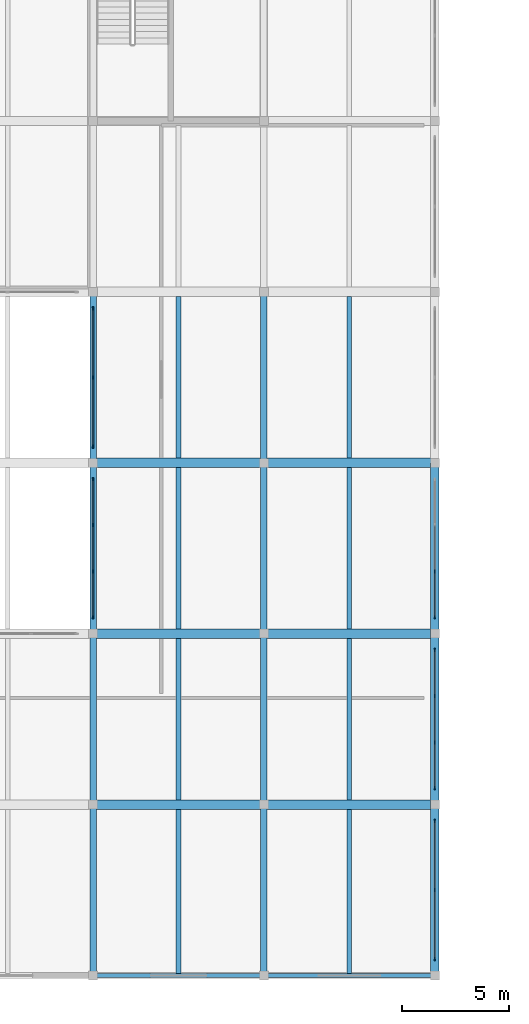
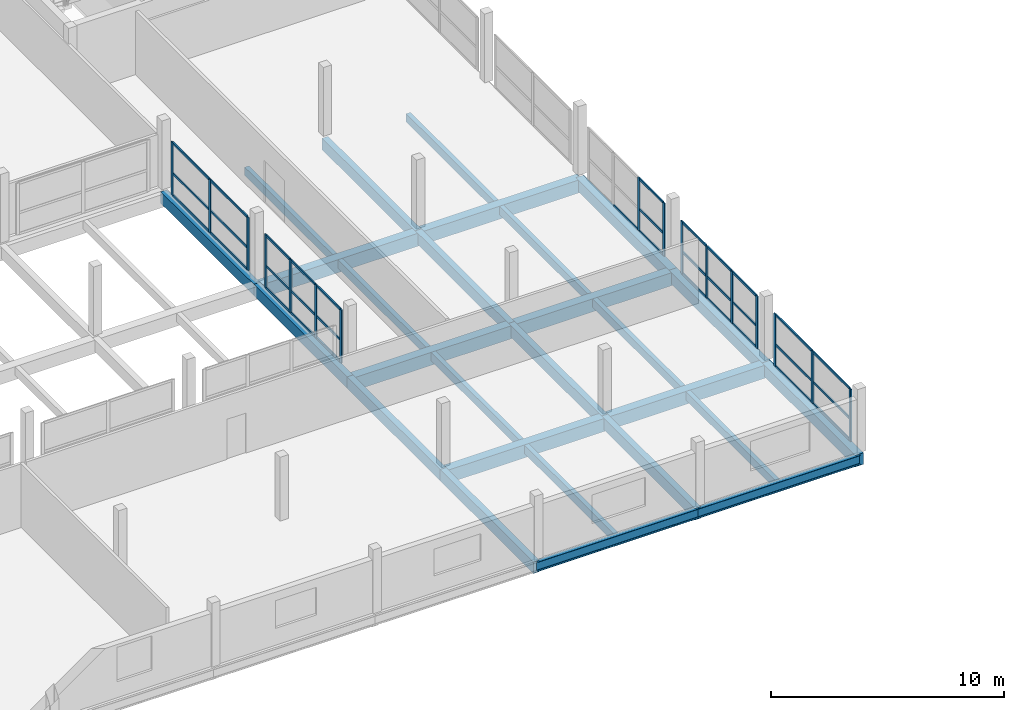
# One storey, part 9 of 51: 50 members, 27 beams, 5 elements without a shape of their own.
"""IFC4 building model written with IfcOpenShell, lengths in metres."""

import ifcopenshell
import ifcopenshell.guid

model = None  # the IFC model being written
_history = None  # IfcOwnerHistory: only IFC2X3 demands one
_inside = {}  # id of a spatial element -> (the spatial element, [elements in it])
_under = {}  # id of a project, library or spatial element -> (it, [spatial elements below it])
_declared = {}  # id of a project -> (the project, [libraries it declares])
_typed = {}  # id of a type object -> (the type object, [elements of that type])
_made_of = {}  # id of a material, layer set ... -> (it, [elements and type objects made of it])


def new_model(schema):
    """Start an empty IFC model of exactly this schema.

    Asked for "IFC4X3", IfcOpenShell would pick the latest addendum, in which some entities
    have other attributes; the version numbers below select the first issue.
    IFC2X3 requires an IfcOwnerHistory on every rooted entity: one is made here for all.
    """
    global model, _history
    if schema == "IFC4X3":
        model = ifcopenshell.file(schema_version=(4, 3, 0, 0))
    else:
        model = ifcopenshell.file(schema=schema)
    _inside.clear()
    _under.clear()
    _declared.clear()
    _typed.clear()
    _made_of.clear()
    _history = None
    if model.schema == "IFC2X3":
        org = make("IfcOrganization", Name="unknown")
        user = make(
            "IfcPersonAndOrganization",
            ThePerson=make("IfcPerson", FamilyName="unknown"),
            TheOrganization=org,
        )
        app = make(
            "IfcApplication",
            ApplicationDeveloper=org,
            Version="unknown",
            ApplicationFullName="unknown",
            ApplicationIdentifier="unknown",
        )
        _history = make(
            "IfcOwnerHistory",
            OwningUser=user,
            OwningApplication=app,
            ChangeAction="ADDED",
            CreationDate=0,
        )
    return model


def make(cls, **values):
    """One entity of the class cls with the attributes given. An attribute that is None is left unset."""
    return model.create_entity(
        cls, **{name: value for name, value in values.items() if value is not None}
    )


def rooted(cls, **values):
    """An entity with a GlobalId (a new one), such as an element, a storey or a relation."""
    return make(cls, GlobalId=ifcopenshell.guid.new(), OwnerHistory=_history, **values)


def si_unit(unit_type, name, prefix=None):
    """IfcSIUnit, for example si_unit("LENGTHUNIT", "METRE", prefix="MILLI")."""
    return make("IfcSIUnit", UnitType=unit_type, Prefix=prefix, Name=name)


def assignment(units):
    """IfcUnitAssignment: the units of a project."""
    return None if units is None else make("IfcUnitAssignment", Units=units)


def point(xyz):
    """IfcCartesianPoint."""
    return None if xyz is None else make("IfcCartesianPoint", Coordinates=xyz)


def direction(xyz):
    """IfcDirection."""
    return None if xyz is None else make("IfcDirection", DirectionRatios=xyz)


def frame(location, z_axis=None, x_axis=None):
    """IfcAxis2Placement3D, a coordinate frame: its origin and axes. An axis left out is left unset."""
    return make(
        "IfcAxis2Placement3D",
        Location=point(location),
        Axis=direction(z_axis),
        RefDirection=direction(x_axis),
    )


def frame_2d(location, x_axis=None):
    """IfcAxis2Placement2D, a coordinate frame in the plane: its origin and x axis."""
    return make(
        "IfcAxis2Placement2D", Location=point(location), RefDirection=direction(x_axis)
    )


def origin():
    """The frame at (0, 0, 0) with its axes left unset."""
    return frame((0.0, 0.0, 0.0))


def origin_2d():
    """The frame at (0, 0) in the plane with its x axis left unset."""
    return frame_2d((0.0, 0.0))


def place(relative_to, where):
    """IfcLocalPlacement: puts the frame where relative to a parent placement (None: the world)."""
    return make(
        "IfcLocalPlacement", PlacementRelTo=relative_to, RelativePlacement=where
    )


def context(
    kind, dimensions, precision=None, world=None, true_north=None, identifier=None
):
    """IfcGeometricRepresentationContext, for example the 3D "Model" context."""
    return make(
        "IfcGeometricRepresentationContext",
        ContextIdentifier=identifier,
        ContextType=kind,
        CoordinateSpaceDimension=dimensions,
        Precision=precision,
        WorldCoordinateSystem=world,
        TrueNorth=true_north,
    )


def subcontext(parent, identifier, kind, view, scale=None):
    """IfcGeometricRepresentationSubContext, for example "Body" below "Model"."""
    return make(
        "IfcGeometricRepresentationSubContext",
        ContextIdentifier=identifier,
        ContextType=kind,
        ParentContext=parent,
        TargetScale=scale,
        TargetView=view,
    )


def project(units=None, contexts=None):
    """IfcProject with its units and contexts."""
    return rooted(
        "IfcProject",
        Name="project",
        RepresentationContexts=contexts,
        UnitsInContext=assignment(units),
    )


def spatial(cls, under=None, at=None, **own):
    """A site, building, storey or space (cls), placed at a placement, below another one or the project."""
    s = rooted(cls, ObjectPlacement=at, **own)
    if under is not None:
        _under.setdefault(under.id(), (under, []))[1].append(s)
    return s


def profile(cls, at=None, kind="AREA", **sizes):
    """A parametric profile (cls). Its sizes go by their IFC names, for example OverallWidth=200.0."""
    return make(cls, ProfileType=kind, Position=at, **sizes)


def rectangle(**sizes):
    """IfcRectangleProfileDef."""
    return profile("IfcRectangleProfileDef", **sizes)


def i_section(**sizes):
    """IfcIShapeProfileDef."""
    return profile("IfcIShapeProfileDef", **sizes)


def extrude(swept, where, along, depth):
    """IfcExtrudedAreaSolid: the profile swept, set in the frame where, extruded along a direction by depth."""
    return make(
        "IfcExtrudedAreaSolid",
        SweptArea=swept,
        Position=where,
        ExtrudedDirection=direction(along),
        Depth=depth,
    )


def shape(context_of_items, identifier, shape_type, items):
    """IfcShapeRepresentation: the items that make up one representation, for example the "Body"."""
    return make(
        "IfcShapeRepresentation",
        ContextOfItems=context_of_items,
        RepresentationIdentifier=identifier,
        RepresentationType=shape_type,
        Items=items,
    )


def material(Name=None, Category=None):
    """IfcMaterial."""
    return make("IfcMaterial", Name=Name, Category=Category)


def material_profile(
    of_material, cross_section, Name=None, Category=None, Priority=None
):
    """IfcMaterialProfile: a cross section and its material."""
    return make(
        "IfcMaterialProfile",
        Name=Name,
        Material=of_material,
        Profile=cross_section,
        Priority=Priority,
        Category=Category,
    )


def profile_set(profiles, Name=None, composite=None):
    """IfcMaterialProfileSet."""
    return make(
        "IfcMaterialProfileSet",
        Name=Name,
        MaterialProfiles=profiles,
        CompositeProfile=composite,
    )


def made_of(thing, what):
    """Note that an element or type object is made of a material, layer set ...; save() writes the relation."""
    if what is not None:
        _made_of.setdefault(what.id(), (what, []))[1].append(thing)
    return thing


def type_object(cls, material=None, **own):
    """A type object (cls), such as IfcWallType, which elements share."""
    return made_of(rooted(cls, **own), material)


def element(
    cls,
    number,
    at=None,
    inside=None,
    cuts=None,
    type_object=None,
    material=None,
    context=None,
    identifier="Body",
    shape_type=None,
    held_by="IfcProductDefinitionShape",
    body=None,
    shapes=None,
    **own,
):
    """One element of the class cls, such as IfcWall. Its Tag is "e" and its number.

    at: its placement. inside: the storey or other place that contains it. cuts: it is an
    opening in that element (IfcRelVoidsElement). A single representation is given by context,
    identifier, shape_type and body (its items); several are given by shapes. held_by: the class
    of the entity that holds the representations. save() writes the other relations.
    """
    e = rooted(cls, Tag="e%d" % number, ObjectPlacement=at, **own)
    if body is not None:
        shapes = [shape(context, identifier, shape_type, body)]
    if shapes is not None:
        e.Representation = make(held_by, Representations=shapes)
    if inside is not None:
        _inside.setdefault(inside.id(), (inside, []))[1].append(e)
    if cuts is not None:
        rooted(
            "IfcRelVoidsElement", RelatingBuildingElement=cuts, RelatedOpeningElement=e
        )
    if type_object is not None:
        _typed.setdefault(type_object.id(), (type_object, []))[1].append(e)
    return made_of(e, material)


def aggregate(whole, parts):
    """IfcRelAggregates: a whole, such as a stair, and the parts it consists of."""
    return rooted("IfcRelAggregates", RelatingObject=whole, RelatedObjects=parts)


def save(model, path):
    """Write the relations noted so far, then the file.

    IfcRelAggregates (storeys below a building ...), IfcRelContainedInSpatialStructure (elements
    in a storey), IfcRelDefinesByType, IfcRelAssociatesMaterial and IfcRelDeclares: one each for
    every whole, place, type object, material and project.
    """
    for whole, parts in _under.values():
        aggregate(whole, parts)
    for where, things in _inside.values():
        rooted(
            "IfcRelContainedInSpatialStructure",
            RelatedElements=things,
            RelatingStructure=where,
        )
    for kind, things in _typed.values():
        rooted("IfcRelDefinesByType", RelatedObjects=things, RelatingType=kind)
    for what, things in _made_of.values():
        rooted("IfcRelAssociatesMaterial", RelatedObjects=things, RelatingMaterial=what)
    for by, libraries in _declared.values():
        rooted("IfcRelDeclares", RelatingContext=by, RelatedDefinitions=libraries)
    model.write(path)


model = new_model("IFC4")

# Units and contexts
model_context = context("Model", 3, precision=1e-05, world=origin(), true_north=direction((0.0, 1.0)))
body_context = subcontext(model_context, "Body", "Model", "MODEL_VIEW")
ifc_project = project(units=[si_unit("LENGTHUNIT", "METRE"), si_unit("AREAUNIT", "SQUARE_METRE"), si_unit("VOLUMEUNIT", "CUBIC_METRE"), si_unit("PLANEANGLEUNIT", "RADIAN"), si_unit("MASSUNIT", "GRAM", prefix="KILO")], contexts=[model_context])

# Site, building, storey
site_placement = place(None, origin())
site = spatial("IfcSite", under=ifc_project, at=site_placement, CompositionType="ELEMENT")
building_placement = place(site_placement, origin())
building = spatial("IfcBuilding", under=site, at=building_placement, Name="Vharandega Faculty of Natural Sciences", CompositionType="ELEMENT")
storey_placement = place(building_placement, frame((0.0, 0.0, 14.39990234375)))
storey = spatial("IfcBuildingStorey", under=building, at=storey_placement, Name="L03", CompositionType="ELEMENT", Elevation=14.39990234375)

# Curtain wall, members
ifc_material_1 = material(Name="Aluminium and solar-control glass curtain wall", Category="aluminium")
curtain_wall_type_1 = type_object("IfcCurtainWallType", Name="Unitised Curtain Wall System CW-14", PredefinedType="NOTDEFINED", material=ifc_material_1)
curtain_wall_1_placement = place(storey_placement, origin())
curtain_wall_1 = element("IfcCurtainWall", 1, at=curtain_wall_1_placement, inside=storey, type_object=curtain_wall_type_1, Name="Curtain Wall CW-L03-153", PredefinedType="NOTDEFINED")
ifc_material_2 = material(Name="Thermally broken aluminium 6063-T6", Category="aluminium")
ifc_material_profile_1 = material_profile(ifc_material_2, rectangle(XDim=0.06005859375, YDim=0.159912109375, at=origin_2d()), Name="ALU 60x160")
ifc_profile_set_1 = profile_set([ifc_material_profile_1], Name="Thermally broken aluminium 6063-T6")
member_type_1 = type_object("IfcMemberType", Name="CW Mullion 60x160", PredefinedType="MULLION", material=ifc_profile_set_1)
member_1_placement = place(storey_placement, frame((48.0, 0.77001953125, 0.0), z_axis=(0.0, 0.0, 1.0), x_axis=(-1.0, 0.0, 0.0)))
member_1 = element("IfcMember", 2, at=member_1_placement, type_object=member_type_1, Name="CW-14 mullion 1", PredefinedType="MULLION", context=body_context, shape_type="SweptSolid", body=[
    extrude(rectangle(XDim=0.06005859375, YDim=0.159912109375, at=origin_2d()), origin(), (0.0, 0.0, 1.0), 2.739990234375),
])
member_2_placement = place(storey_placement, frame((48.0, 4.0, 0.0), z_axis=(0.0, 0.0, 1.0), x_axis=(-1.0, 0.0, 0.0)))
member_2 = element("IfcMember", 3, at=member_2_placement, type_object=member_type_1, Name="CW-14 mullion 2", PredefinedType="MULLION", context=body_context, shape_type="SweptSolid", body=[
    extrude(rectangle(XDim=0.06005859375, YDim=0.159912109375, at=origin_2d()), origin(), (0.0, 0.0, 1.0), 2.739990234375),
])
member_3_placement = place(storey_placement, frame((48.0, 7.22998046875, 0.0), z_axis=(0.0, 0.0, 1.0), x_axis=(-1.0, 0.0, 0.0)))
member_3 = element("IfcMember", 4, at=member_3_placement, type_object=member_type_1, Name="CW-14 mullion 3", PredefinedType="MULLION", context=body_context, shape_type="SweptSolid", body=[
    extrude(rectangle(XDim=0.06005859375, YDim=0.159912109375, at=origin_2d()), origin(), (0.0, 0.0, 1.0), 2.739990234375),
])

ifc_material_3 = material(Name="Aluminium and solar-control glass curtain wall", Category="aluminium")
curtain_wall_type_2 = type_object("IfcCurtainWallType", Name="Unitised Curtain Wall System CW-15", PredefinedType="NOTDEFINED", material=ifc_material_3)
curtain_wall_2_placement = place(storey_placement, origin())
curtain_wall_2 = element("IfcCurtainWall", 5, at=curtain_wall_2_placement, inside=storey, type_object=curtain_wall_type_2, Name="Curtain Wall CW-L03-154", PredefinedType="NOTDEFINED")
member_4_placement = place(storey_placement, frame((48.0, 8.77001953125, 0.0), z_axis=(0.0, 0.0, 1.0), x_axis=(-1.0, 0.0, 0.0)))
member_4 = element("IfcMember", 6, at=member_4_placement, type_object=member_type_1, Name="CW-15 mullion 1", PredefinedType="MULLION", context=body_context, shape_type="SweptSolid", body=[
    extrude(rectangle(XDim=0.06005859375, YDim=0.159912109375, at=origin_2d()), origin(), (0.0, 0.0, 1.0), 2.739990234375),
])
member_5_placement = place(storey_placement, frame((48.0, 10.913330078125, 0.0), z_axis=(0.0, 0.0, 1.0), x_axis=(-1.0, 0.0, 0.0)))
member_5 = element("IfcMember", 7, at=member_5_placement, type_object=member_type_1, Name="CW-15 mullion 2", PredefinedType="MULLION", context=body_context, shape_type="SweptSolid", body=[
    extrude(rectangle(XDim=0.06005859375, YDim=0.159912109375, at=origin_2d()), origin(), (0.0, 0.0, 1.0), 2.739990234375),
])
member_6_placement = place(storey_placement, frame((48.0, 13.086669921875, 0.0), z_axis=(0.0, 0.0, 1.0), x_axis=(-1.0, 0.0, 0.0)))
member_6 = element("IfcMember", 8, at=member_6_placement, type_object=member_type_1, Name="CW-15 mullion 3", PredefinedType="MULLION", context=body_context, shape_type="SweptSolid", body=[
    extrude(rectangle(XDim=0.06005859375, YDim=0.159912109375, at=origin_2d()), origin(), (0.0, 0.0, 1.0), 2.739990234375),
])
member_7_placement = place(storey_placement, frame((48.0, 15.22998046875, 0.0), z_axis=(0.0, 0.0, 1.0), x_axis=(-1.0, 0.0, 0.0)))
member_7 = element("IfcMember", 9, at=member_7_placement, type_object=member_type_1, Name="CW-15 mullion 4", PredefinedType="MULLION", context=body_context, shape_type="SweptSolid", body=[
    extrude(rectangle(XDim=0.06005859375, YDim=0.159912109375, at=origin_2d()), origin(), (0.0, 0.0, 1.0), 2.739990234375),
])

ifc_material_4 = material(Name="Aluminium and solar-control glass curtain wall", Category="aluminium")
curtain_wall_type_3 = type_object("IfcCurtainWallType", Name="Unitised Curtain Wall System CW-16", PredefinedType="NOTDEFINED", material=ifc_material_4)
curtain_wall_3_placement = place(storey_placement, origin())
curtain_wall_3 = element("IfcCurtainWall", 10, at=curtain_wall_3_placement, inside=storey, type_object=curtain_wall_type_3, Name="Curtain Wall CW-L03-155", PredefinedType="NOTDEFINED")
member_8_placement = place(storey_placement, frame((48.0, 16.77001953125, 0.0), z_axis=(0.0, 0.0, 1.0), x_axis=(-1.0, 0.0, 0.0)))
member_8 = element("IfcMember", 11, at=member_8_placement, type_object=member_type_1, Name="CW-16 mullion 1", PredefinedType="MULLION", context=body_context, shape_type="SweptSolid", body=[
    extrude(rectangle(XDim=0.06005859375, YDim=0.159912109375, at=origin_2d()), origin(), (0.0, 0.0, 1.0), 2.780029296875),
])
member_9_placement = place(storey_placement, frame((48.0, 18.913330078125, 0.0), z_axis=(0.0, 0.0, 1.0), x_axis=(-1.0, 0.0, 0.0)))
member_9 = element("IfcMember", 12, at=member_9_placement, type_object=member_type_1, Name="CW-16 mullion 2", PredefinedType="MULLION", context=body_context, shape_type="SweptSolid", body=[
    extrude(rectangle(XDim=0.06005859375, YDim=0.159912109375, at=origin_2d()), origin(), (0.0, 0.0, 1.0), 2.780029296875),
])

ifc_material_5 = material(Name="Aluminium and solar-control glass curtain wall", Category="aluminium")
curtain_wall_type_4 = type_object("IfcCurtainWallType", Name="Unitised Curtain Wall System CW-01", PredefinedType="NOTDEFINED", material=ifc_material_5)
curtain_wall_4_placement = place(storey_placement, origin())
curtain_wall_4 = element("IfcCurtainWall", 13, at=curtain_wall_4_placement, inside=storey, type_object=curtain_wall_type_4, Name="Curtain Wall CW-L03-168", PredefinedType="NOTDEFINED")
member_10_placement = place(storey_placement, frame((32.0, 16.77001953125, 0.0), z_axis=(0.0, 0.0, 1.0), x_axis=(-1.0, 0.0, 0.0)))
member_10 = element("IfcMember", 14, at=member_10_placement, type_object=member_type_1, Name="CW-01 mullion 1", PredefinedType="MULLION", context=body_context, shape_type="SweptSolid", body=[
    extrude(rectangle(XDim=0.06005859375, YDim=0.159912109375, at=origin_2d()), origin(), (0.0, 0.0, 1.0), 2.780029296875),
])
member_11_placement = place(storey_placement, frame((32.0, 18.913330078125, 0.0), z_axis=(0.0, 0.0, 1.0), x_axis=(-1.0, 0.0, 0.0)))
member_11 = element("IfcMember", 15, at=member_11_placement, type_object=member_type_1, Name="CW-01 mullion 2", PredefinedType="MULLION", context=body_context, shape_type="SweptSolid", body=[
    extrude(rectangle(XDim=0.06005859375, YDim=0.159912109375, at=origin_2d()), origin(), (0.0, 0.0, 1.0), 2.780029296875),
])
member_12_placement = place(storey_placement, frame((32.0, 21.086669921875, 0.0), z_axis=(0.0, 0.0, 1.0), x_axis=(-1.0, 0.0, 0.0)))
member_12 = element("IfcMember", 16, at=member_12_placement, type_object=member_type_1, Name="CW-01 mullion 3", PredefinedType="MULLION", context=body_context, shape_type="SweptSolid", body=[
    extrude(rectangle(XDim=0.06005859375, YDim=0.159912109375, at=origin_2d()), origin(), (0.0, 0.0, 1.0), 2.780029296875),
])
member_13_placement = place(storey_placement, frame((32.0, 23.22998046875, 0.0), z_axis=(0.0, 0.0, 1.0), x_axis=(-1.0, 0.0, 0.0)))
member_13 = element("IfcMember", 17, at=member_13_placement, type_object=member_type_1, Name="CW-01 mullion 4", PredefinedType="MULLION", context=body_context, shape_type="SweptSolid", body=[
    extrude(rectangle(XDim=0.06005859375, YDim=0.159912109375, at=origin_2d()), origin(), (0.0, 0.0, 1.0), 2.780029296875),
])

ifc_material_6 = material(Name="Aluminium and solar-control glass curtain wall", Category="aluminium")
curtain_wall_type_5 = type_object("IfcCurtainWallType", Name="Unitised Curtain Wall System CW-03", PredefinedType="NOTDEFINED", material=ifc_material_6)
curtain_wall_5_placement = place(storey_placement, origin())
curtain_wall_5 = element("IfcCurtainWall", 18, at=curtain_wall_5_placement, inside=storey, type_object=curtain_wall_type_5, Name="Curtain Wall CW-L03-170", PredefinedType="NOTDEFINED")
member_14_placement = place(storey_placement, frame((32.0, 24.77001953125, 0.0), z_axis=(0.0, 0.0, 1.0), x_axis=(-1.0, 0.0, 0.0)))
member_14 = element("IfcMember", 19, at=member_14_placement, type_object=member_type_1, Name="CW-03 mullion 1", PredefinedType="MULLION", context=body_context, shape_type="SweptSolid", body=[
    extrude(rectangle(XDim=0.06005859375, YDim=0.159912109375, at=origin_2d()), origin(), (0.0, 0.0, 1.0), 2.780029296875),
])
member_15_placement = place(storey_placement, frame((32.0, 28.0, 0.0), z_axis=(0.0, 0.0, 1.0), x_axis=(-1.0, 0.0, 0.0)))
member_15 = element("IfcMember", 20, at=member_15_placement, type_object=member_type_1, Name="CW-03 mullion 2", PredefinedType="MULLION", context=body_context, shape_type="SweptSolid", body=[
    extrude(rectangle(XDim=0.06005859375, YDim=0.159912109375, at=origin_2d()), origin(), (0.0, 0.0, 1.0), 2.780029296875),
])
member_16_placement = place(storey_placement, frame((32.0, 31.22998046875, 0.0), z_axis=(0.0, 0.0, 1.0), x_axis=(-1.0, 0.0, 0.0)))
member_16 = element("IfcMember", 21, at=member_16_placement, type_object=member_type_1, Name="CW-03 mullion 3", PredefinedType="MULLION", context=body_context, shape_type="SweptSolid", body=[
    extrude(rectangle(XDim=0.06005859375, YDim=0.159912109375, at=origin_2d()), origin(), (0.0, 0.0, 1.0), 2.780029296875),
])

# Member
ifc_material_7 = material(Name="Thermally broken aluminium 6063-T6", Category="aluminium")
ifc_material_profile_2 = material_profile(ifc_material_7, rectangle(XDim=0.06005859375, YDim=0.1201171875, at=origin_2d()), Name="ALU 60x120")
ifc_profile_set_2 = profile_set([ifc_material_profile_2], Name="Thermally broken aluminium 6063-T6")
member_type_2 = type_object("IfcMemberType", Name="CW Transom 60x120", PredefinedType="USERDEFINED", material=ifc_profile_set_2)
member_17_placement = place(storey_placement, frame((48.0, 0.800048828125, 0.030029296875), z_axis=(0.0, 1.0, 0.0), x_axis=(-1.0, 0.0, 0.0)))
member_17 = element("IfcMember", 22, at=member_17_placement, type_object=member_type_2, Name="CW-14 transom 1.1", ObjectType="TRANSOM", PredefinedType="USERDEFINED", context=body_context, shape_type="SweptSolid", body=[
    extrude(rectangle(XDim=0.06005859375, YDim=0.1201171875, at=origin_2d()), origin(), (0.0, 0.0, 1.0), 3.169921875),
])

member_18_placement = place(storey_placement, frame((48.0, 0.800048828125, 1.15087890625), z_axis=(0.0, 1.0, 0.0), x_axis=(-1.0, 0.0, 0.0)))
member_18 = element("IfcMember", 23, at=member_18_placement, type_object=member_type_2, Name="CW-14 transom 1.2", ObjectType="TRANSOM", PredefinedType="USERDEFINED", context=body_context, shape_type="SweptSolid", body=[
    extrude(rectangle(XDim=0.06005859375, YDim=0.1201171875, at=origin_2d()), origin(), (0.0, 0.0, 1.0), 3.169921875),
])

member_19_placement = place(storey_placement, frame((48.0, 0.800048828125, 2.710205078125), z_axis=(0.0, 1.0, 0.0), x_axis=(-1.0, 0.0, 0.0)))
member_19 = element("IfcMember", 24, at=member_19_placement, type_object=member_type_2, Name="CW-14 transom 1.3", ObjectType="TRANSOM", PredefinedType="USERDEFINED", context=body_context, shape_type="SweptSolid", body=[
    extrude(rectangle(XDim=0.06005859375, YDim=0.1201171875, at=origin_2d()), origin(), (0.0, 0.0, 1.0), 3.169921875),
])

member_20_placement = place(storey_placement, frame((48.0, 4.030029296875, 0.030029296875), z_axis=(0.0, 1.0, 0.0), x_axis=(-1.0, 0.0, 0.0)))
member_20 = element("IfcMember", 25, at=member_20_placement, type_object=member_type_2, Name="CW-14 transom 2.1", ObjectType="TRANSOM", PredefinedType="USERDEFINED", context=body_context, shape_type="SweptSolid", body=[
    extrude(rectangle(XDim=0.06005859375, YDim=0.1201171875, at=origin_2d()), origin(), (0.0, 0.0, 1.0), 3.169921875),
])

member_21_placement = place(storey_placement, frame((48.0, 4.030029296875, 1.15087890625), z_axis=(0.0, 1.0, 0.0), x_axis=(-1.0, 0.0, 0.0)))
member_21 = element("IfcMember", 26, at=member_21_placement, type_object=member_type_2, Name="CW-14 transom 2.2", ObjectType="TRANSOM", PredefinedType="USERDEFINED", context=body_context, shape_type="SweptSolid", body=[
    extrude(rectangle(XDim=0.06005859375, YDim=0.1201171875, at=origin_2d()), origin(), (0.0, 0.0, 1.0), 3.169921875),
])

member_22_placement = place(storey_placement, frame((48.0, 4.030029296875, 2.710205078125), z_axis=(0.0, 1.0, 0.0), x_axis=(-1.0, 0.0, 0.0)))
member_22 = element("IfcMember", 27, at=member_22_placement, type_object=member_type_2, Name="CW-14 transom 2.3", ObjectType="TRANSOM", PredefinedType="USERDEFINED", context=body_context, shape_type="SweptSolid", body=[
    extrude(rectangle(XDim=0.06005859375, YDim=0.1201171875, at=origin_2d()), origin(), (0.0, 0.0, 1.0), 3.169921875),
])

aggregate(curtain_wall_1, [member_1, member_2, member_3, member_17, member_18, member_19, member_20, member_21, member_22])

member_23_placement = place(storey_placement, frame((48.0, 8.800048828125, 0.030029296875), z_axis=(0.0, 1.0, 0.0), x_axis=(-1.0, 0.0, 0.0)))
member_23 = element("IfcMember", 28, at=member_23_placement, type_object=member_type_2, Name="CW-15 transom 1.1", ObjectType="TRANSOM", PredefinedType="USERDEFINED", context=body_context, shape_type="SweptSolid", body=[
    extrude(rectangle(XDim=0.06005859375, YDim=0.1201171875, at=origin_2d()), origin(), (0.0, 0.0, 1.0), 2.083251953125),
])

member_24_placement = place(storey_placement, frame((48.0, 8.800048828125, 1.15087890625), z_axis=(0.0, 1.0, 0.0), x_axis=(-1.0, 0.0, 0.0)))
member_24 = element("IfcMember", 29, at=member_24_placement, type_object=member_type_2, Name="CW-15 transom 1.2", ObjectType="TRANSOM", PredefinedType="USERDEFINED", context=body_context, shape_type="SweptSolid", body=[
    extrude(rectangle(XDim=0.06005859375, YDim=0.1201171875, at=origin_2d()), origin(), (0.0, 0.0, 1.0), 2.083251953125),
])

member_25_placement = place(storey_placement, frame((48.0, 8.800048828125, 2.710205078125), z_axis=(0.0, 1.0, 0.0), x_axis=(-1.0, 0.0, 0.0)))
member_25 = element("IfcMember", 30, at=member_25_placement, type_object=member_type_2, Name="CW-15 transom 1.3", ObjectType="TRANSOM", PredefinedType="USERDEFINED", context=body_context, shape_type="SweptSolid", body=[
    extrude(rectangle(XDim=0.06005859375, YDim=0.1201171875, at=origin_2d()), origin(), (0.0, 0.0, 1.0), 2.083251953125),
])

member_26_placement = place(storey_placement, frame((48.0, 10.943359375, 0.030029296875), z_axis=(0.0, 1.0, 0.0), x_axis=(-1.0, 0.0, 0.0)))
member_26 = element("IfcMember", 31, at=member_26_placement, type_object=member_type_2, Name="CW-15 transom 2.1", ObjectType="TRANSOM", PredefinedType="USERDEFINED", context=body_context, shape_type="SweptSolid", body=[
    extrude(rectangle(XDim=0.06005859375, YDim=0.1201171875, at=origin_2d()), origin(), (0.0, 0.0, 1.0), 2.11328125),
])

member_27_placement = place(storey_placement, frame((48.0, 10.943359375, 1.15087890625), z_axis=(0.0, 1.0, 0.0), x_axis=(-1.0, 0.0, 0.0)))
member_27 = element("IfcMember", 32, at=member_27_placement, type_object=member_type_2, Name="CW-15 transom 2.2", ObjectType="TRANSOM", PredefinedType="USERDEFINED", context=body_context, shape_type="SweptSolid", body=[
    extrude(rectangle(XDim=0.06005859375, YDim=0.1201171875, at=origin_2d()), origin(), (0.0, 0.0, 1.0), 2.11328125),
])

member_28_placement = place(storey_placement, frame((48.0, 10.943359375, 2.710205078125), z_axis=(0.0, 1.0, 0.0), x_axis=(-1.0, 0.0, 0.0)))
member_28 = element("IfcMember", 33, at=member_28_placement, type_object=member_type_2, Name="CW-15 transom 2.3", ObjectType="TRANSOM", PredefinedType="USERDEFINED", context=body_context, shape_type="SweptSolid", body=[
    extrude(rectangle(XDim=0.06005859375, YDim=0.1201171875, at=origin_2d()), origin(), (0.0, 0.0, 1.0), 2.11328125),
])

member_29_placement = place(storey_placement, frame((48.0, 13.11669921875, 0.030029296875), z_axis=(0.0, 1.0, 0.0), x_axis=(-1.0, 0.0, 0.0)))
member_29 = element("IfcMember", 34, at=member_29_placement, type_object=member_type_2, Name="CW-15 transom 3.1", ObjectType="TRANSOM", PredefinedType="USERDEFINED", context=body_context, shape_type="SweptSolid", body=[
    extrude(rectangle(XDim=0.06005859375, YDim=0.1201171875, at=origin_2d()), origin(), (0.0, 0.0, 1.0), 2.083251953125),
])

member_30_placement = place(storey_placement, frame((48.0, 13.11669921875, 1.15087890625), z_axis=(0.0, 1.0, 0.0), x_axis=(-1.0, 0.0, 0.0)))
member_30 = element("IfcMember", 35, at=member_30_placement, type_object=member_type_2, Name="CW-15 transom 3.2", ObjectType="TRANSOM", PredefinedType="USERDEFINED", context=body_context, shape_type="SweptSolid", body=[
    extrude(rectangle(XDim=0.06005859375, YDim=0.1201171875, at=origin_2d()), origin(), (0.0, 0.0, 1.0), 2.083251953125),
])

member_31_placement = place(storey_placement, frame((48.0, 13.11669921875, 2.710205078125), z_axis=(0.0, 1.0, 0.0), x_axis=(-1.0, 0.0, 0.0)))
member_31 = element("IfcMember", 36, at=member_31_placement, type_object=member_type_2, Name="CW-15 transom 3.3", ObjectType="TRANSOM", PredefinedType="USERDEFINED", context=body_context, shape_type="SweptSolid", body=[
    extrude(rectangle(XDim=0.06005859375, YDim=0.1201171875, at=origin_2d()), origin(), (0.0, 0.0, 1.0), 2.083251953125),
])

aggregate(curtain_wall_2, [member_4, member_5, member_6, member_7, member_23, member_24, member_25, member_26, member_27, member_28, member_29, member_30, member_31])

member_32_placement = place(storey_placement, frame((48.0, 16.800048828125, 0.030029296875), z_axis=(0.0, 1.0, 0.0), x_axis=(-1.0, 0.0, 0.0)))
member_32 = element("IfcMember", 37, at=member_32_placement, type_object=member_type_2, Name="CW-16 transom 1.1", ObjectType="TRANSOM", PredefinedType="USERDEFINED", context=body_context, shape_type="SweptSolid", body=[
    extrude(rectangle(XDim=0.06005859375, YDim=0.1201171875, at=origin_2d()), origin(), (0.0, 0.0, 1.0), 2.083251953125),
])

member_33_placement = place(storey_placement, frame((48.0, 16.800048828125, 1.167724609375), z_axis=(0.0, 1.0, 0.0), x_axis=(-1.0, 0.0, 0.0)))
member_33 = element("IfcMember", 38, at=member_33_placement, type_object=member_type_2, Name="CW-16 transom 1.2", ObjectType="TRANSOM", PredefinedType="USERDEFINED", context=body_context, shape_type="SweptSolid", body=[
    extrude(rectangle(XDim=0.06005859375, YDim=0.1201171875, at=origin_2d()), origin(), (0.0, 0.0, 1.0), 2.083251953125),
])

member_34_placement = place(storey_placement, frame((48.0, 16.800048828125, 2.75), z_axis=(0.0, 1.0, 0.0), x_axis=(-1.0, 0.0, 0.0)))
member_34 = element("IfcMember", 39, at=member_34_placement, type_object=member_type_2, Name="CW-16 transom 1.3", ObjectType="TRANSOM", PredefinedType="USERDEFINED", context=body_context, shape_type="SweptSolid", body=[
    extrude(rectangle(XDim=0.06005859375, YDim=0.1201171875, at=origin_2d()), origin(), (0.0, 0.0, 1.0), 2.083251953125),
])

member_35_placement = place(storey_placement, frame((48.0, 18.943359375, 0.030029296875), z_axis=(0.0, 1.0, 0.0), x_axis=(-1.0, 0.0, 0.0)))
member_35 = element("IfcMember", 40, at=member_35_placement, type_object=member_type_2, Name="CW-16 transom 2.1", ObjectType="TRANSOM", PredefinedType="USERDEFINED", context=body_context, shape_type="SweptSolid", body=[
    extrude(rectangle(XDim=0.06005859375, YDim=0.1201171875, at=origin_2d()), origin(), (0.0, 0.0, 1.0), 2.11328125),
])

aggregate(curtain_wall_3, [member_8, member_9, member_32, member_33, member_34, member_35])

member_36_placement = place(storey_placement, frame((32.0, 16.800048828125, 0.030029296875), z_axis=(0.0, 1.0, 0.0), x_axis=(-1.0, 0.0, 0.0)))
member_36 = element("IfcMember", 41, at=member_36_placement, type_object=member_type_2, Name="CW-01 transom 1.1", ObjectType="TRANSOM", PredefinedType="USERDEFINED", context=body_context, shape_type="SweptSolid", body=[
    extrude(rectangle(XDim=0.06005859375, YDim=0.1201171875, at=origin_2d()), origin(), (0.0, 0.0, 1.0), 2.083251953125),
])

member_37_placement = place(storey_placement, frame((32.0, 16.800048828125, 1.167724609375), z_axis=(0.0, 1.0, 0.0), x_axis=(-1.0, 0.0, 0.0)))
member_37 = element("IfcMember", 42, at=member_37_placement, type_object=member_type_2, Name="CW-01 transom 1.2", ObjectType="TRANSOM", PredefinedType="USERDEFINED", context=body_context, shape_type="SweptSolid", body=[
    extrude(rectangle(XDim=0.06005859375, YDim=0.1201171875, at=origin_2d()), origin(), (0.0, 0.0, 1.0), 2.083251953125),
])

member_38_placement = place(storey_placement, frame((32.0, 16.800048828125, 2.75), z_axis=(0.0, 1.0, 0.0), x_axis=(-1.0, 0.0, 0.0)))
member_38 = element("IfcMember", 43, at=member_38_placement, type_object=member_type_2, Name="CW-01 transom 1.3", ObjectType="TRANSOM", PredefinedType="USERDEFINED", context=body_context, shape_type="SweptSolid", body=[
    extrude(rectangle(XDim=0.06005859375, YDim=0.1201171875, at=origin_2d()), origin(), (0.0, 0.0, 1.0), 2.083251953125),
])

member_39_placement = place(storey_placement, frame((32.0, 18.943359375, 0.030029296875), z_axis=(0.0, 1.0, 0.0), x_axis=(-1.0, 0.0, 0.0)))
member_39 = element("IfcMember", 44, at=member_39_placement, type_object=member_type_2, Name="CW-01 transom 2.1", ObjectType="TRANSOM", PredefinedType="USERDEFINED", context=body_context, shape_type="SweptSolid", body=[
    extrude(rectangle(XDim=0.06005859375, YDim=0.1201171875, at=origin_2d()), origin(), (0.0, 0.0, 1.0), 2.11328125),
])

member_40_placement = place(storey_placement, frame((32.0, 18.943359375, 1.167724609375), z_axis=(0.0, 1.0, 0.0), x_axis=(-1.0, 0.0, 0.0)))
member_40 = element("IfcMember", 45, at=member_40_placement, type_object=member_type_2, Name="CW-01 transom 2.2", ObjectType="TRANSOM", PredefinedType="USERDEFINED", context=body_context, shape_type="SweptSolid", body=[
    extrude(rectangle(XDim=0.06005859375, YDim=0.1201171875, at=origin_2d()), origin(), (0.0, 0.0, 1.0), 2.11328125),
])

member_41_placement = place(storey_placement, frame((32.0, 18.943359375, 2.75), z_axis=(0.0, 1.0, 0.0), x_axis=(-1.0, 0.0, 0.0)))
member_41 = element("IfcMember", 46, at=member_41_placement, type_object=member_type_2, Name="CW-01 transom 2.3", ObjectType="TRANSOM", PredefinedType="USERDEFINED", context=body_context, shape_type="SweptSolid", body=[
    extrude(rectangle(XDim=0.06005859375, YDim=0.1201171875, at=origin_2d()), origin(), (0.0, 0.0, 1.0), 2.11328125),
])

member_42_placement = place(storey_placement, frame((32.0, 21.11669921875, 0.030029296875), z_axis=(0.0, 1.0, 0.0), x_axis=(-1.0, 0.0, 0.0)))
member_42 = element("IfcMember", 47, at=member_42_placement, type_object=member_type_2, Name="CW-01 transom 3.1", ObjectType="TRANSOM", PredefinedType="USERDEFINED", context=body_context, shape_type="SweptSolid", body=[
    extrude(rectangle(XDim=0.06005859375, YDim=0.1201171875, at=origin_2d()), origin(), (0.0, 0.0, 1.0), 2.083251953125),
])

member_43_placement = place(storey_placement, frame((32.0, 21.11669921875, 1.167724609375), z_axis=(0.0, 1.0, 0.0), x_axis=(-1.0, 0.0, 0.0)))
member_43 = element("IfcMember", 48, at=member_43_placement, type_object=member_type_2, Name="CW-01 transom 3.2", ObjectType="TRANSOM", PredefinedType="USERDEFINED", context=body_context, shape_type="SweptSolid", body=[
    extrude(rectangle(XDim=0.06005859375, YDim=0.1201171875, at=origin_2d()), origin(), (0.0, 0.0, 1.0), 2.083251953125),
])

member_44_placement = place(storey_placement, frame((32.0, 21.11669921875, 2.75), z_axis=(0.0, 1.0, 0.0), x_axis=(-1.0, 0.0, 0.0)))
member_44 = element("IfcMember", 49, at=member_44_placement, type_object=member_type_2, Name="CW-01 transom 3.3", ObjectType="TRANSOM", PredefinedType="USERDEFINED", context=body_context, shape_type="SweptSolid", body=[
    extrude(rectangle(XDim=0.06005859375, YDim=0.1201171875, at=origin_2d()), origin(), (0.0, 0.0, 1.0), 2.083251953125),
])

aggregate(curtain_wall_4, [member_10, member_11, member_12, member_13, member_36, member_37, member_38, member_39, member_40, member_41, member_42, member_43, member_44])

member_45_placement = place(storey_placement, frame((32.0, 24.800048828125, 0.030029296875), z_axis=(0.0, 1.0, 0.0), x_axis=(-1.0, 0.0, 0.0)))
member_45 = element("IfcMember", 50, at=member_45_placement, type_object=member_type_2, Name="CW-03 transom 1.1", ObjectType="TRANSOM", PredefinedType="USERDEFINED", context=body_context, shape_type="SweptSolid", body=[
    extrude(rectangle(XDim=0.06005859375, YDim=0.1201171875, at=origin_2d()), origin(), (0.0, 0.0, 1.0), 3.169921875),
])

member_46_placement = place(storey_placement, frame((32.0, 24.800048828125, 1.167724609375), z_axis=(0.0, 1.0, 0.0), x_axis=(-1.0, 0.0, 0.0)))
member_46 = element("IfcMember", 51, at=member_46_placement, type_object=member_type_2, Name="CW-03 transom 1.2", ObjectType="TRANSOM", PredefinedType="USERDEFINED", context=body_context, shape_type="SweptSolid", body=[
    extrude(rectangle(XDim=0.06005859375, YDim=0.1201171875, at=origin_2d()), origin(), (0.0, 0.0, 1.0), 3.169921875),
])

member_47_placement = place(storey_placement, frame((32.0, 24.800048828125, 2.75), z_axis=(0.0, 1.0, 0.0), x_axis=(-1.0, 0.0, 0.0)))
member_47 = element("IfcMember", 52, at=member_47_placement, type_object=member_type_2, Name="CW-03 transom 1.3", ObjectType="TRANSOM", PredefinedType="USERDEFINED", context=body_context, shape_type="SweptSolid", body=[
    extrude(rectangle(XDim=0.06005859375, YDim=0.1201171875, at=origin_2d()), origin(), (0.0, 0.0, 1.0), 3.169921875),
])

member_48_placement = place(storey_placement, frame((32.0, 28.030029296875, 0.030029296875), z_axis=(0.0, 1.0, 0.0), x_axis=(-1.0, 0.0, 0.0)))
member_48 = element("IfcMember", 53, at=member_48_placement, type_object=member_type_2, Name="CW-03 transom 2.1", ObjectType="TRANSOM", PredefinedType="USERDEFINED", context=body_context, shape_type="SweptSolid", body=[
    extrude(rectangle(XDim=0.06005859375, YDim=0.1201171875, at=origin_2d()), origin(), (0.0, 0.0, 1.0), 3.169921875),
])

member_49_placement = place(storey_placement, frame((32.0, 28.030029296875, 1.167724609375), z_axis=(0.0, 1.0, 0.0), x_axis=(-1.0, 0.0, 0.0)))
member_49 = element("IfcMember", 54, at=member_49_placement, type_object=member_type_2, Name="CW-03 transom 2.2", ObjectType="TRANSOM", PredefinedType="USERDEFINED", context=body_context, shape_type="SweptSolid", body=[
    extrude(rectangle(XDim=0.06005859375, YDim=0.1201171875, at=origin_2d()), origin(), (0.0, 0.0, 1.0), 3.169921875),
])

member_50_placement = place(storey_placement, frame((32.0, 28.030029296875, 2.75), z_axis=(0.0, 1.0, 0.0), x_axis=(-1.0, 0.0, 0.0)))
member_50 = element("IfcMember", 55, at=member_50_placement, type_object=member_type_2, Name="CW-03 transom 2.3", ObjectType="TRANSOM", PredefinedType="USERDEFINED", context=body_context, shape_type="SweptSolid", body=[
    extrude(rectangle(XDim=0.06005859375, YDim=0.1201171875, at=origin_2d()), origin(), (0.0, 0.0, 1.0), 3.169921875),
])

aggregate(curtain_wall_5, [member_14, member_15, member_16, member_45, member_46, member_47, member_48, member_49, member_50])

# Beams
ifc_material_8 = material(Name="Glulam GL28h", Category="wood")
ifc_material_profile_3 = material_profile(ifc_material_8, rectangle(XDim=0.300048828125, YDim=0.60009765625, at=origin_2d()), Name="GL28h 300x600")
ifc_profile_set_3 = profile_set([ifc_material_profile_3], Name="Glulam GL28h")
beam_type_1 = type_object("IfcBeamType", Name="Glulam Floor Beam 300x600", PredefinedType="BEAM", material=ifc_profile_set_3)
for number, where, z_axis, x_axis, name in (
    (56, (32.0, 0.0, -0.539794921875), (0.0, 1.0, 0.0), (-1.0, 0.0, 0.0), "Beam L03 5/A-B"),
    (57, (32.0, 8.0, -0.539794921875), (0.0, 1.0, 0.0), (-1.0, 0.0, 0.0), "Beam L03 5/B-C"),
    (58, (32.0, 16.0, -0.539794921875), (0.0, 1.0, 0.0), (-1.0, 0.0, 0.0), "Beam L03 5/C-D"),
    (59, (32.0, 24.0, -0.539794921875), (0.0, 1.0, 0.0), (-1.0, 0.0, 0.0), "Beam L03 5/D-E"),
    (60, (40.0, 0.0, -0.539794921875), (0.0, 1.0, 0.0), (-1.0, 0.0, 0.0), "Beam L03 6/A-B"),
    (61, (40.0, 8.0, -0.539794921875), (0.0, 1.0, 0.0), (-1.0, 0.0, 0.0), "Beam L03 6/B-C"),
    (62, (40.0, 16.0, -0.539794921875), (0.0, 1.0, 0.0), (-1.0, 0.0, 0.0), "Beam L03 6/C-D"),
    (63, (40.0, 24.0, -0.539794921875), (0.0, 1.0, 0.0), (-1.0, 0.0, 0.0), "Beam L03 6/D-E"),
):
    element("IfcBeam", number, at=place(storey_placement, frame(where, z_axis=z_axis, x_axis=x_axis)), inside=storey, type_object=beam_type_1, Name=name, PredefinedType="BEAM", context=body_context, shape_type="SweptSolid", body=[
        extrude(rectangle(XDim=0.300048828125, YDim=0.60009765625, at=origin_2d()), origin(), (0.0, 0.0, 1.0), 8.0),
    ])
ifc_material_9 = material(Name="Glulam GL32h", Category="wood")
ifc_material_profile_4 = material_profile(ifc_material_9, rectangle(XDim=0.43994140625, YDim=0.679931640625, at=origin_2d()), Name="GL32h 440x680")
ifc_profile_set_4 = profile_set([ifc_material_profile_4], Name="Glulam GL32h")
beam_type_2 = type_object("IfcBeamType", Name="Glulam Girder 440x680", PredefinedType="BEAM", material=ifc_profile_set_4)
for number, where, z_axis, x_axis, name in (
    (64, (32.0, 8.0, -0.579833984375), (1.0, 0.0, 0.0), (0.0, 1.0, 0.0), "Beam L03 B/5-6"),
    (65, (40.0, 8.0, -0.579833984375), (1.0, 0.0, 0.0), (0.0, 1.0, 0.0), "Beam L03 B/6-7"),
    (66, (32.0, 16.0, -0.579833984375), (1.0, 0.0, 0.0), (0.0, 1.0, 0.0), "Beam L03 C/5-6"),
    (67, (40.0, 16.0, -0.579833984375), (1.0, 0.0, 0.0), (0.0, 1.0, 0.0), "Beam L03 C/6-7"),
    (68, (32.0, 24.0, -0.579833984375), (1.0, 0.0, 0.0), (0.0, 1.0, 0.0), "Beam L03 D/5-6"),
    (69, (40.0, 24.0, -0.579833984375), (1.0, 0.0, 0.0), (0.0, 1.0, 0.0), "Beam L03 D/6-7"),
):
    element("IfcBeam", number, at=place(storey_placement, frame(where, z_axis=z_axis, x_axis=x_axis)), inside=storey, type_object=beam_type_2, Name=name, PredefinedType="BEAM", context=body_context, shape_type="SweptSolid", body=[
        extrude(rectangle(XDim=0.43994140625, YDim=0.679931640625, at=origin_2d()), origin(), (0.0, 0.0, 1.0), 8.0),
    ])
ifc_material_10 = material(Name="Glulam GL28h", Category="wood")
ifc_material_profile_5 = material_profile(ifc_material_10, rectangle(XDim=0.219970703125, YDim=0.43994140625, at=origin_2d()), Name="GL28h 220x440")
ifc_profile_set_5 = profile_set([ifc_material_profile_5], Name="Glulam GL28h")
beam_type_3 = type_object("IfcBeamType", Name="Glulam Secondary Joist 220x440", PredefinedType="JOIST", material=ifc_profile_set_5)
beam_1_placement = place(storey_placement, frame((36.0, 0.10009765625, -0.4599609375), z_axis=(0.0, 1.0, 0.0), x_axis=(-1.0, 0.0, 0.0)))
element("IfcBeam", 70, at=beam_1_placement, inside=storey, type_object=beam_type_3, Name="Secondary Joist L03 5-6/A-B", PredefinedType="JOIST", context=body_context, shape_type="SweptSolid", body=[
    extrude(rectangle(XDim=0.219970703125, YDim=0.43994140625, at=origin_2d()), origin(), (0.0, 0.0, 1.0), 7.679931640625),
])
for number, where, z_axis, x_axis, name in (
    (71, (36.0, 8.219970703125, -0.4599609375), (0.0, 1.0, 0.0), (-1.0, 0.0, 0.0), "Secondary Joist L03 5-6/B-C"),
    (72, (36.0, 16.219970703125, -0.4599609375), (0.0, 1.0, 0.0), (-1.0, 0.0, 0.0), "Secondary Joist L03 5-6/C-D"),
    (73, (36.0, 24.219970703125, -0.4599609375), (0.0, 1.0, 0.0), (-1.0, 0.0, 0.0), "Secondary Joist L03 5-6/D-E"),
):
    element("IfcBeam", number, at=place(storey_placement, frame(where, z_axis=z_axis, x_axis=x_axis)), inside=storey, type_object=beam_type_3, Name=name, PredefinedType="JOIST", context=body_context, shape_type="SweptSolid", body=[
        extrude(rectangle(XDim=0.219970703125, YDim=0.43994140625, at=origin_2d()), origin(), (0.0, 0.0, 1.0), 7.56005859375),
    ])
beam_2_placement = place(storey_placement, frame((44.0, 0.10009765625, -0.4599609375), z_axis=(0.0, 1.0, 0.0), x_axis=(-1.0, 0.0, 0.0)))
element("IfcBeam", 74, at=beam_2_placement, inside=storey, type_object=beam_type_3, Name="Secondary Joist L03 6-7/A-B", PredefinedType="JOIST", context=body_context, shape_type="SweptSolid", body=[
    extrude(rectangle(XDim=0.219970703125, YDim=0.43994140625, at=origin_2d()), origin(), (0.0, 0.0, 1.0), 7.679931640625),
])
for number, where, z_axis, x_axis, name in (
    (75, (44.0, 8.219970703125, -0.4599609375), (0.0, 1.0, 0.0), (-1.0, 0.0, 0.0), "Secondary Joist L03 6-7/B-C"),
    (76, (44.0, 16.219970703125, -0.4599609375), (0.0, 1.0, 0.0), (-1.0, 0.0, 0.0), "Secondary Joist L03 6-7/C-D"),
    (77, (44.0, 24.219970703125, -0.4599609375), (0.0, 1.0, 0.0), (-1.0, 0.0, 0.0), "Secondary Joist L03 6-7/D-E"),
):
    element("IfcBeam", number, at=place(storey_placement, frame(where, z_axis=z_axis, x_axis=x_axis)), inside=storey, type_object=beam_type_3, Name=name, PredefinedType="JOIST", context=body_context, shape_type="SweptSolid", body=[
        extrude(rectangle(XDim=0.219970703125, YDim=0.43994140625, at=origin_2d()), origin(), (0.0, 0.0, 1.0), 7.56005859375),
    ])
ifc_material_11 = material(Name="Glulam GL32h", Category="wood")
ifc_material_profile_6 = material_profile(ifc_material_11, rectangle(XDim=0.39990234375, YDim=0.60009765625, at=origin_2d()), Name="GL32h 400x600")
ifc_profile_set_6 = profile_set([ifc_material_profile_6], Name="Glulam GL32h")
beam_type_4 = type_object("IfcBeamType", Name="Glulam Spine Girder 400x600", PredefinedType="BEAM", material=ifc_profile_set_6)
for number, where, z_axis, x_axis, name in (
    (78, (48.0, 0.0, -0.539794921875), (0.0, 1.0, 0.0), (-1.0, 0.0, 0.0), "Beam L03 7/A-B"),
    (79, (48.0, 8.0, -0.539794921875), (0.0, 1.0, 0.0), (-1.0, 0.0, 0.0), "Beam L03 7/B-C"),
    (80, (48.0, 16.0, -0.539794921875), (0.0, 1.0, 0.0), (-1.0, 0.0, 0.0), "Beam L03 7/C-D"),
):
    element("IfcBeam", number, at=place(storey_placement, frame(where, z_axis=z_axis, x_axis=x_axis)), inside=storey, type_object=beam_type_4, Name=name, PredefinedType="BEAM", context=body_context, shape_type="SweptSolid", body=[
        extrude(rectangle(XDim=0.39990234375, YDim=0.60009765625, at=origin_2d()), origin(), (0.0, 0.0, 1.0), 8.0),
    ])
ifc_material_12 = material(Name="Steel S355", Category="steel")
ifc_material_profile_7 = material_profile(ifc_material_12, i_section(OverallWidth=0.199951171875, OverallDepth=0.5, WebThickness=0.01025390625, FlangeThickness=0.01611328125, FilletRadius=0.02099609375, at=origin_2d()), Name="IPE 500")
ifc_profile_set_7 = profile_set([ifc_material_profile_7], Name="Steel S355")
beam_type_5 = type_object("IfcBeamType", Name="Steel Spandrel Beam IPE 500", PredefinedType="SPANDREL", material=ifc_profile_set_7)
for number, where, z_axis, x_axis, name in (
    (81, (32.0, 0.0, -0.489990234375), (1.0, 0.0, 0.0), (0.0, 1.0, 0.0), "Beam L03 A/5-6"),
    (82, (40.0, 0.0, -0.489990234375), (1.0, 0.0, 0.0), (0.0, 1.0, 0.0), "Beam L03 A/6-7"),
):
    element("IfcBeam", number, at=place(storey_placement, frame(where, z_axis=z_axis, x_axis=x_axis)), inside=storey, type_object=beam_type_5, Name=name, PredefinedType="SPANDREL", context=body_context, shape_type="SweptSolid", body=[
        extrude(i_section(OverallWidth=0.199951171875, OverallDepth=0.5, WebThickness=0.01025390625, FlangeThickness=0.01611328125, FilletRadius=0.02099609375, at=origin_2d()), origin(), (0.0, 0.0, 1.0), 8.0),
    ])

save(model, "model.ifc")
